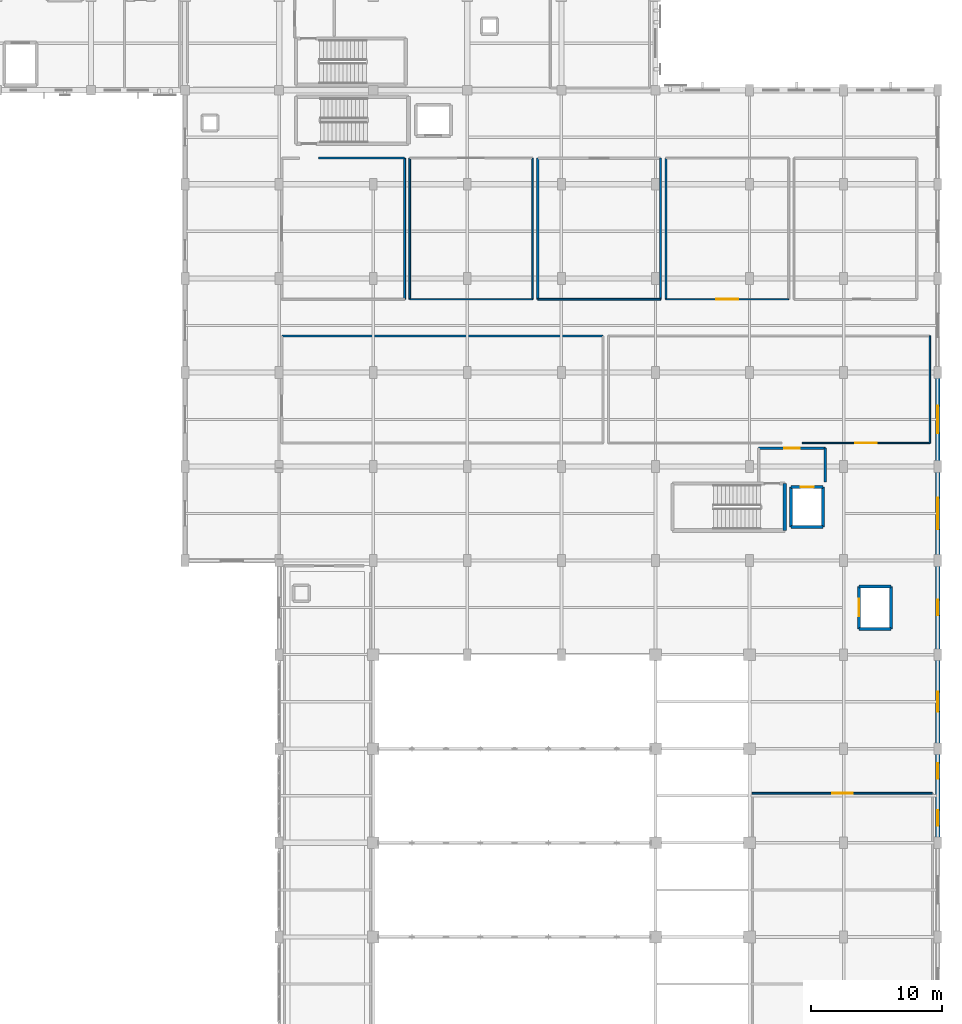
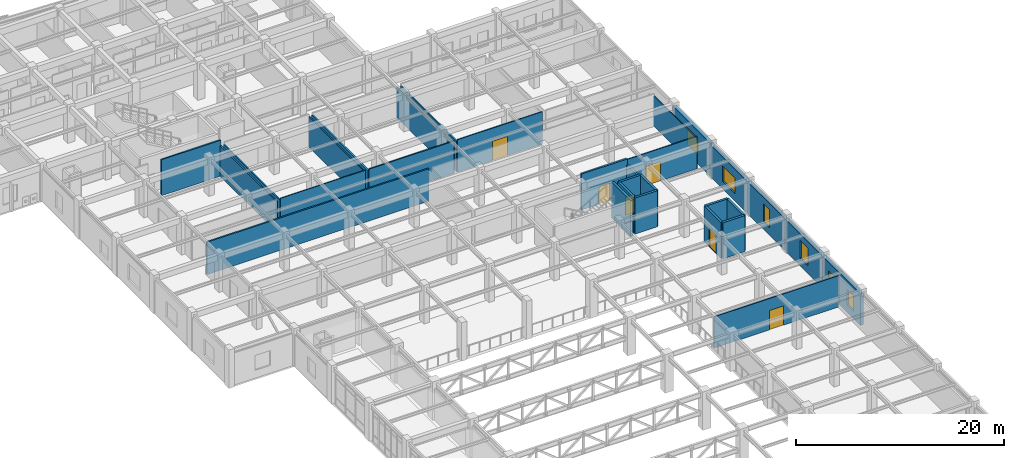
# One storey, part 86 of 106: 30 walls, 6 doors, 6 windows, 12 openings.
"""IFC4 building model written with IfcOpenShell, lengths in metres."""

import ifcopenshell
import ifcopenshell.guid

model = None  # the IFC model being written
_history = None  # IfcOwnerHistory: only IFC2X3 demands one
_inside = {}  # id of a spatial element -> (the spatial element, [elements in it])
_under = {}  # id of a project, library or spatial element -> (it, [spatial elements below it])
_declared = {}  # id of a project -> (the project, [libraries it declares])
_typed = {}  # id of a type object -> (the type object, [elements of that type])
_made_of = {}  # id of a material, layer set ... -> (it, [elements and type objects made of it])


def new_model(schema):
    """Start an empty IFC model of exactly this schema.

    Asked for "IFC4X3", IfcOpenShell would pick the latest addendum, in which some entities
    have other attributes; the version numbers below select the first issue.
    IFC2X3 requires an IfcOwnerHistory on every rooted entity: one is made here for all.
    """
    global model, _history
    if schema == "IFC4X3":
        model = ifcopenshell.file(schema_version=(4, 3, 0, 0))
    else:
        model = ifcopenshell.file(schema=schema)
    _inside.clear()
    _under.clear()
    _declared.clear()
    _typed.clear()
    _made_of.clear()
    _history = None
    if model.schema == "IFC2X3":
        org = make("IfcOrganization", Name="unknown")
        user = make(
            "IfcPersonAndOrganization",
            ThePerson=make("IfcPerson", FamilyName="unknown"),
            TheOrganization=org,
        )
        app = make(
            "IfcApplication",
            ApplicationDeveloper=org,
            Version="unknown",
            ApplicationFullName="unknown",
            ApplicationIdentifier="unknown",
        )
        _history = make(
            "IfcOwnerHistory",
            OwningUser=user,
            OwningApplication=app,
            ChangeAction="ADDED",
            CreationDate=0,
        )
    return model


def make(cls, **values):
    """One entity of the class cls with the attributes given. An attribute that is None is left unset."""
    return model.create_entity(
        cls, **{name: value for name, value in values.items() if value is not None}
    )


def rooted(cls, **values):
    """An entity with a GlobalId (a new one), such as an element, a storey or a relation."""
    return make(cls, GlobalId=ifcopenshell.guid.new(), OwnerHistory=_history, **values)


def si_unit(unit_type, name, prefix=None):
    """IfcSIUnit, for example si_unit("LENGTHUNIT", "METRE", prefix="MILLI")."""
    return make("IfcSIUnit", UnitType=unit_type, Prefix=prefix, Name=name)


def assignment(units):
    """IfcUnitAssignment: the units of a project."""
    return None if units is None else make("IfcUnitAssignment", Units=units)


def point(xyz):
    """IfcCartesianPoint."""
    return None if xyz is None else make("IfcCartesianPoint", Coordinates=xyz)


def direction(xyz):
    """IfcDirection."""
    return None if xyz is None else make("IfcDirection", DirectionRatios=xyz)


def frame(location, z_axis=None, x_axis=None):
    """IfcAxis2Placement3D, a coordinate frame: its origin and axes. An axis left out is left unset."""
    return make(
        "IfcAxis2Placement3D",
        Location=point(location),
        Axis=direction(z_axis),
        RefDirection=direction(x_axis),
    )


def frame_2d(location, x_axis=None):
    """IfcAxis2Placement2D, a coordinate frame in the plane: its origin and x axis."""
    return make(
        "IfcAxis2Placement2D", Location=point(location), RefDirection=direction(x_axis)
    )


def origin():
    """The frame at (0, 0, 0) with its axes left unset."""
    return frame((0.0, 0.0, 0.0))


def place(relative_to, where):
    """IfcLocalPlacement: puts the frame where relative to a parent placement (None: the world)."""
    return make(
        "IfcLocalPlacement", PlacementRelTo=relative_to, RelativePlacement=where
    )


def context(
    kind, dimensions, precision=None, world=None, true_north=None, identifier=None
):
    """IfcGeometricRepresentationContext, for example the 3D "Model" context."""
    return make(
        "IfcGeometricRepresentationContext",
        ContextIdentifier=identifier,
        ContextType=kind,
        CoordinateSpaceDimension=dimensions,
        Precision=precision,
        WorldCoordinateSystem=world,
        TrueNorth=true_north,
    )


def subcontext(parent, identifier, kind, view, scale=None):
    """IfcGeometricRepresentationSubContext, for example "Body" below "Model"."""
    return make(
        "IfcGeometricRepresentationSubContext",
        ContextIdentifier=identifier,
        ContextType=kind,
        ParentContext=parent,
        TargetScale=scale,
        TargetView=view,
    )


def project(units=None, contexts=None):
    """IfcProject with its units and contexts."""
    return rooted(
        "IfcProject",
        Name="project",
        RepresentationContexts=contexts,
        UnitsInContext=assignment(units),
    )


def spatial(cls, under=None, at=None, **own):
    """A site, building, storey or space (cls), placed at a placement, below another one or the project."""
    s = rooted(cls, ObjectPlacement=at, **own)
    if under is not None:
        _under.setdefault(under.id(), (under, []))[1].append(s)
    return s


def profile(cls, at=None, kind="AREA", **sizes):
    """A parametric profile (cls). Its sizes go by their IFC names, for example OverallWidth=200.0."""
    return make(cls, ProfileType=kind, Position=at, **sizes)


def rectangle(**sizes):
    """IfcRectangleProfileDef."""
    return profile("IfcRectangleProfileDef", **sizes)


def extrude(swept, where, along, depth):
    """IfcExtrudedAreaSolid: the profile swept, set in the frame where, extruded along a direction by depth."""
    return make(
        "IfcExtrudedAreaSolid",
        SweptArea=swept,
        Position=where,
        ExtrudedDirection=direction(along),
        Depth=depth,
    )


def shape(context_of_items, identifier, shape_type, items):
    """IfcShapeRepresentation: the items that make up one representation, for example the "Body"."""
    return make(
        "IfcShapeRepresentation",
        ContextOfItems=context_of_items,
        RepresentationIdentifier=identifier,
        RepresentationType=shape_type,
        Items=items,
    )


def material(Name=None, Category=None):
    """IfcMaterial."""
    return make("IfcMaterial", Name=Name, Category=Category)


def layer(
    of_material, thickness, ventilated=None, Name=None, Category=None, Priority=None
):
    """IfcMaterialLayer: one layer of a wall or slab, of a material (None: an air gap)."""
    return make(
        "IfcMaterialLayer",
        Material=of_material,
        LayerThickness=thickness,
        IsVentilated=ventilated,
        Name=Name,
        Category=Category,
        Priority=Priority,
    )


def layer_set(layers, Name=None):
    """IfcMaterialLayerSet."""
    return make("IfcMaterialLayerSet", MaterialLayers=layers, LayerSetName=Name)


def made_of(thing, what):
    """Note that an element or type object is made of a material, layer set ...; save() writes the relation."""
    if what is not None:
        _made_of.setdefault(what.id(), (what, []))[1].append(thing)
    return thing


def type_object(cls, material=None, **own):
    """A type object (cls), such as IfcWallType, which elements share."""
    return made_of(rooted(cls, **own), material)


def element(
    cls,
    number,
    at=None,
    inside=None,
    cuts=None,
    type_object=None,
    material=None,
    context=None,
    identifier="Body",
    shape_type=None,
    held_by="IfcProductDefinitionShape",
    body=None,
    shapes=None,
    **own,
):
    """One element of the class cls, such as IfcWall. Its Tag is "e" and its number.

    at: its placement. inside: the storey or other place that contains it. cuts: it is an
    opening in that element (IfcRelVoidsElement). A single representation is given by context,
    identifier, shape_type and body (its items); several are given by shapes. held_by: the class
    of the entity that holds the representations. save() writes the other relations.
    """
    e = rooted(cls, Tag="e%d" % number, ObjectPlacement=at, **own)
    if body is not None:
        shapes = [shape(context, identifier, shape_type, body)]
    if shapes is not None:
        e.Representation = make(held_by, Representations=shapes)
    if inside is not None:
        _inside.setdefault(inside.id(), (inside, []))[1].append(e)
    if cuts is not None:
        rooted(
            "IfcRelVoidsElement", RelatingBuildingElement=cuts, RelatedOpeningElement=e
        )
    if type_object is not None:
        _typed.setdefault(type_object.id(), (type_object, []))[1].append(e)
    return made_of(e, material)


def fill(opening, filler):
    """IfcRelFillsElement: the door or window that sits in an opening."""
    return rooted(
        "IfcRelFillsElement",
        RelatingOpeningElement=opening,
        RelatedBuildingElement=filler,
    )


def aggregate(whole, parts):
    """IfcRelAggregates: a whole, such as a stair, and the parts it consists of."""
    return rooted("IfcRelAggregates", RelatingObject=whole, RelatedObjects=parts)


def save(model, path):
    """Write the relations noted so far, then the file.

    IfcRelAggregates (storeys below a building ...), IfcRelContainedInSpatialStructure (elements
    in a storey), IfcRelDefinesByType, IfcRelAssociatesMaterial and IfcRelDeclares: one each for
    every whole, place, type object, material and project.
    """
    for whole, parts in _under.values():
        aggregate(whole, parts)
    for where, things in _inside.values():
        rooted(
            "IfcRelContainedInSpatialStructure",
            RelatedElements=things,
            RelatingStructure=where,
        )
    for kind, things in _typed.values():
        rooted("IfcRelDefinesByType", RelatedObjects=things, RelatingType=kind)
    for what, things in _made_of.values():
        rooted("IfcRelAssociatesMaterial", RelatedObjects=things, RelatingMaterial=what)
    for by, libraries in _declared.values():
        rooted("IfcRelDeclares", RelatingContext=by, RelatedDefinitions=libraries)
    model.write(path)


model = new_model("IFC4")

# Units and contexts
model_context = context("Model", 3, precision=1e-05, world=origin(), true_north=direction((0.0, 1.0)))
body_context = subcontext(model_context, "Body", "Model", "MODEL_VIEW")
ifc_project = project(units=[si_unit("LENGTHUNIT", "METRE"), si_unit("AREAUNIT", "SQUARE_METRE"), si_unit("VOLUMEUNIT", "CUBIC_METRE"), si_unit("PLANEANGLEUNIT", "RADIAN"), si_unit("MASSUNIT", "GRAM", prefix="KILO")], contexts=[model_context])

# Site, building, storey
site_placement = place(None, origin())
site = spatial("IfcSite", under=ifc_project, at=site_placement, CompositionType="ELEMENT")
building_placement = place(site_placement, origin())
building = spatial("IfcBuilding", under=site, at=building_placement, Name="Carrowvane Square Congress Hotel", CompositionType="ELEMENT")
storey_placement = place(building_placement, frame((0.0, 0.0, 10.5)))
storey = spatial("IfcBuildingStorey", under=building, at=storey_placement, Name="L02", CompositionType="ELEMENT", Elevation=10.5)

# Wall, opening, window
ifc_material_1 = material(Name="Portland limestone cladding", Category="masonry")
ifc_layer_1 = layer(ifc_material_1, 0.35009765625)
ifc_layer_set_1 = layer_set([ifc_layer_1], Name="Portland limestone cladding")
wall_type_1 = type_object("IfcWallType", Name="WL-EXT-LS350", PredefinedType="STANDARD", material=ifc_layer_set_1)
wall_1_placement = place(storey_placement, frame((184.39990234375, 55.800048828125, 0.0), z_axis=(0.0, 0.0, 1.0), x_axis=(0.0, -1.0, 0.0)))
wall_1 = element("IfcWall", 1, at=wall_1_placement, inside=storey, type_object=wall_type_1, Name="L02 exterior facade wall 293", PredefinedType="STANDARD", context=body_context, shape_type="SweptSolid", body=[
    extrude(rectangle(XDim=7.199951171875, YDim=0.35009765625, at=frame_2d((3.60009765625, 0.0))), origin(), (0.0, 0.0, 1.0), 3.7451171875),
])
opening_1_placement = place(wall_1_placement, frame((3.0, 0.0, 0.89990234375)))
opening_1 = element("IfcOpeningElement", 2, at=opening_1_placement, cuts=wall_1, Name="Opening W-08", PredefinedType="OPENING", context=body_context, shape_type="SweptSolid", body=[
    extrude(rectangle(XDim=1.199951171875, YDim=2.10009765625, at=frame_2d((0.60009765625, 1.050048828125))), frame((0.0, 0.18505859375, 0.0), z_axis=(0.0, -1.0, 0.0), x_axis=(1.0, 0.0, 0.0)), (0.0, 0.0, 1.0), 0.3701171875),
])
ifc_material_2 = material(Name="Double-glazed low-E glass", Category="glass")
window_type_1 = type_object("IfcWindowType", Name="WIN-08", PartitioningType="SINGLE_PANEL", PredefinedType="WINDOW", material=ifc_material_2)
window_1_placement = place(opening_1_placement, origin())
window_1 = element("IfcWindow", 3, at=window_1_placement, inside=storey, type_object=window_type_1, Name="L02 facade window 110", OverallHeight=2.10009765625, OverallWidth=1.199951171875, PartitioningType="SINGLE_PANEL", PredefinedType="WINDOW", context=body_context, shape_type="SweptSolid", body=[
    extrude(rectangle(XDim=1.199951171875, YDim=2.10009765625, at=frame_2d((0.60009765625, 1.050048828125))), frame((0.0, 0.030029296875, 0.0), z_axis=(0.0, -1.0, 0.0), x_axis=(1.0, 0.0, 0.0)), (0.0, 0.0, 1.0), 0.06005859375),
])
fill(opening_1, window_1)

wall_2_placement = place(storey_placement, frame((184.39990234375, 48.60009765625, 0.0), z_axis=(0.0, 0.0, 1.0), x_axis=(0.0, -1.0, 0.0)))
wall_2 = element("IfcWall", 4, at=wall_2_placement, inside=storey, type_object=wall_type_1, Name="L02 exterior facade wall 294", PredefinedType="STANDARD", context=body_context, shape_type="SweptSolid", body=[
    extrude(rectangle(XDim=7.2001953125, YDim=0.35009765625, at=frame_2d((3.60009765625, 0.0))), origin(), (0.0, 0.0, 1.0), 3.7451171875),
])
opening_2_placement = place(wall_2_placement, frame((2.85009765625, 0.0, 0.89990234375)))
opening_2 = element("IfcOpeningElement", 5, at=opening_2_placement, cuts=wall_2, Name="Opening W-09", PredefinedType="OPENING", context=body_context, shape_type="SweptSolid", body=[
    extrude(rectangle(XDim=1.5, YDim=2.10009765625, at=frame_2d((0.75, 1.050048828125))), frame((0.0, 0.18505859375, 0.0), z_axis=(0.0, -1.0, 0.0), x_axis=(1.0, 0.0, 0.0)), (0.0, 0.0, 1.0), 0.3701171875),
])
ifc_material_3 = material(Name="Double-glazed low-E glass", Category="glass")
window_type_2 = type_object("IfcWindowType", Name="WIN-09", PartitioningType="SINGLE_PANEL", PredefinedType="WINDOW", material=ifc_material_3)
window_2_placement = place(opening_2_placement, origin())
window_2 = element("IfcWindow", 6, at=window_2_placement, inside=storey, type_object=window_type_2, Name="L02 facade window 111", OverallHeight=2.10009765625, OverallWidth=1.5, PartitioningType="SINGLE_PANEL", PredefinedType="WINDOW", context=body_context, shape_type="SweptSolid", body=[
    extrude(rectangle(XDim=1.5, YDim=2.10009765625, at=frame_2d((0.75, 1.050048828125))), frame((0.0, 0.030029296875, 0.0), z_axis=(0.0, -1.0, 0.0), x_axis=(1.0, 0.0, 0.0)), (0.0, 0.0, 1.0), 0.06005859375),
])
fill(opening_2, window_2)

# Wall, openings, windows
wall_3_placement = place(storey_placement, frame((184.39990234375, 41.39990234375, 0.0), z_axis=(0.0, 0.0, 1.0), x_axis=(0.0, -1.0, 0.0)))
wall_3 = element("IfcWall", 7, at=wall_3_placement, inside=storey, type_object=wall_type_1, Name="L02 exterior facade wall 295", PredefinedType="STANDARD", context=body_context, shape_type="SweptSolid", body=[
    extrude(rectangle(XDim=7.199951171875, YDim=0.35009765625, at=frame_2d((3.60009765625, 0.0))), origin(), (0.0, 0.0, 1.0), 3.7451171875),
])
opening_3_placement = place(wall_3_placement, frame((1.10009765625, 0.0, 0.89990234375)))
opening_3 = element("IfcOpeningElement", 8, at=opening_3_placement, cuts=wall_3, Name="Opening W-01", PredefinedType="OPENING", context=body_context, shape_type="SweptSolid", body=[
    extrude(rectangle(XDim=1.199951171875, YDim=1.800048828125, at=frame_2d((0.60009765625, 0.89990234375))), frame((0.0, 0.18505859375, 0.0), z_axis=(0.0, -1.0, 0.0), x_axis=(1.0, 0.0, 0.0)), (0.0, 0.0, 1.0), 0.3701171875),
])
opening_4_placement = place(wall_3_placement, frame((4.699951171875, 0.0, 0.89990234375)))
opening_4 = element("IfcOpeningElement", 9, at=opening_4_placement, cuts=wall_3, Name="Opening W-01", PredefinedType="OPENING", context=body_context, shape_type="SweptSolid", body=[
    extrude(rectangle(XDim=1.199951171875, YDim=1.800048828125, at=frame_2d((0.60009765625, 0.89990234375))), frame((0.0, 0.18505859375, 0.0), z_axis=(0.0, -1.0, 0.0), x_axis=(1.0, 0.0, 0.0)), (0.0, 0.0, 1.0), 0.3701171875),
])
ifc_material_4 = material(Name="Double-glazed low-E glass", Category="glass")
window_type_3 = type_object("IfcWindowType", Name="WIN-01", PartitioningType="SINGLE_PANEL", PredefinedType="WINDOW", material=ifc_material_4)
window_3_placement = place(opening_3_placement, origin())
window_3 = element("IfcWindow", 10, at=window_3_placement, inside=storey, type_object=window_type_3, Name="L02 facade window 112", OverallHeight=1.800048828125, OverallWidth=1.199951171875, PartitioningType="SINGLE_PANEL", PredefinedType="WINDOW", context=body_context, shape_type="SweptSolid", body=[
    extrude(rectangle(XDim=1.199951171875, YDim=1.800048828125, at=frame_2d((0.60009765625, 0.89990234375))), frame((0.0, 0.030029296875, 0.0), z_axis=(0.0, -1.0, 0.0), x_axis=(1.0, 0.0, 0.0)), (0.0, 0.0, 1.0), 0.06005859375),
])
fill(opening_3, window_3)
window_4_placement = place(opening_4_placement, origin())
window_4 = element("IfcWindow", 11, at=window_4_placement, inside=storey, type_object=window_type_3, Name="L02 split-bay facade window WIN-L02-0112-1", OverallHeight=1.800048828125, OverallWidth=1.199951171875, PartitioningType="SINGLE_PANEL", PredefinedType="WINDOW", context=body_context, shape_type="SweptSolid", body=[
    extrude(rectangle(XDim=1.199951171875, YDim=1.800048828125, at=frame_2d((0.60009765625, 0.89990234375))), frame((0.0, 0.030029296875, 0.0), z_axis=(0.0, -1.0, 0.0), x_axis=(1.0, 0.0, 0.0)), (0.0, 0.0, 1.0), 0.06005859375),
])
fill(opening_4, window_4)

# Wall, opening, window
ifc_material_5 = material(Name="Glazed terracotta rainscreen", Category="masonry")
ifc_layer_2 = layer(ifc_material_5, 0.360107421875)
ifc_layer_set_2 = layer_set([ifc_layer_2], Name="Glazed terracotta rainscreen")
wall_type_2 = type_object("IfcWallType", Name="WL-EXT-TC360", PredefinedType="STANDARD", material=ifc_layer_set_2)
wall_4_placement = place(storey_placement, frame((184.39990234375, 70.199951171875, 0.0), z_axis=(0.0, 0.0, 1.0), x_axis=(0.0, -1.0, 0.0)))
wall_4 = element("IfcWall", 12, at=wall_4_placement, inside=storey, type_object=wall_type_2, Name="L02 exterior facade wall 291", PredefinedType="STANDARD", context=body_context, shape_type="SweptSolid", body=[
    extrude(rectangle(XDim=7.199951171875, YDim=0.360107421875, at=frame_2d((3.60009765625, 0.0))), origin(), (0.0, 0.0, 1.0), 3.8984375),
])
opening_5_placement = place(wall_4_placement, frame((2.550048828125, 0.0, 0.89990234375)))
opening_5 = element("IfcOpeningElement", 13, at=opening_5_placement, cuts=wall_4, Name="Opening W-06", PredefinedType="OPENING", context=body_context, shape_type="SweptSolid", body=[
    extrude(rectangle(XDim=2.10009765625, YDim=1.800048828125, at=frame_2d((1.050048828125, 0.89990234375))), frame((0.0, 0.18994140625, 0.0), z_axis=(0.0, -1.0, 0.0), x_axis=(1.0, 0.0, 0.0)), (0.0, 0.0, 1.0), 0.380126953125),
])
ifc_material_6 = material(Name="Double-glazed low-E glass", Category="glass")
window_type_4 = type_object("IfcWindowType", Name="WIN-06", PartitioningType="SINGLE_PANEL", PredefinedType="WINDOW", material=ifc_material_6)
window_5_placement = place(opening_5_placement, origin())
window_5 = element("IfcWindow", 14, at=window_5_placement, inside=storey, type_object=window_type_4, Name="L02 facade window 108", OverallHeight=1.800048828125, OverallWidth=2.10009765625, PartitioningType="SINGLE_PANEL", PredefinedType="WINDOW", context=body_context, shape_type="SweptSolid", body=[
    extrude(rectangle(XDim=2.10009765625, YDim=1.800048828125, at=frame_2d((1.050048828125, 0.89990234375))), frame((0.0, 0.030029296875, 0.0), z_axis=(0.0, -1.0, 0.0), x_axis=(1.0, 0.0, 0.0)), (0.0, 0.0, 1.0), 0.06005859375),
])
fill(opening_5, window_5)

wall_5_placement = place(storey_placement, frame((184.39990234375, 63.0, 0.0), z_axis=(0.0, 0.0, 1.0), x_axis=(0.0, -1.0, 0.0)))
wall_5 = element("IfcWall", 15, at=wall_5_placement, inside=storey, type_object=wall_type_2, Name="L02 exterior facade wall 292", PredefinedType="STANDARD", context=body_context, shape_type="SweptSolid", body=[
    extrude(rectangle(XDim=7.199951171875, YDim=0.360107421875, at=frame_2d((3.60009765625, 0.0))), origin(), (0.0, 0.0, 1.0), 3.7451171875),
])
opening_6_placement = place(wall_5_placement, frame((2.39990234375, 0.0, 0.89990234375)))
opening_6 = element("IfcOpeningElement", 16, at=opening_6_placement, cuts=wall_5, Name="Opening W-07", PredefinedType="OPENING", context=body_context, shape_type="SweptSolid", body=[
    extrude(rectangle(XDim=2.39990234375, YDim=1.800048828125, at=frame_2d((1.199951171875, 0.89990234375))), frame((0.0, 0.18994140625, 0.0), z_axis=(0.0, -1.0, 0.0), x_axis=(1.0, 0.0, 0.0)), (0.0, 0.0, 1.0), 0.380126953125),
])
ifc_material_7 = material(Name="Double-glazed low-E glass", Category="glass")
window_type_5 = type_object("IfcWindowType", Name="WIN-07", PartitioningType="SINGLE_PANEL", PredefinedType="WINDOW", material=ifc_material_7)
window_6_placement = place(opening_6_placement, origin())
window_6 = element("IfcWindow", 17, at=window_6_placement, inside=storey, type_object=window_type_5, Name="L02 facade window 109", OverallHeight=1.800048828125, OverallWidth=2.39990234375, PartitioningType="SINGLE_PANEL", PredefinedType="WINDOW", context=body_context, shape_type="SweptSolid", body=[
    extrude(rectangle(XDim=2.39990234375, YDim=1.800048828125, at=frame_2d((1.199951171875, 0.89990234375))), frame((0.0, 0.030029296875, 0.0), z_axis=(0.0, -1.0, 0.0), x_axis=(1.0, 0.0, 0.0)), (0.0, 0.0, 1.0), 0.06005859375),
])
fill(opening_6, window_6)

# Walls
ifc_material_8 = material(Name="Acoustic gypsum board", Category="gypsum")
ifc_layer_3 = layer(ifc_material_8, 0.155029296875)
ifc_layer_set_3 = layer_set([ifc_layer_3], Name="Acoustic gypsum board")
wall_type_3 = type_object("IfcWallType", Name="WL-FIR-155", PredefinedType="PARTITIONING", material=ifc_layer_set_3)
wall_6_placement = place(storey_placement, frame((137.0048828125, 86.60009765625, 0.0), z_axis=(0.0, 0.0, 1.0), x_axis=(1.0, 0.0, 0.0)))
element("IfcWall", 18, at=wall_6_placement, inside=storey, type_object=wall_type_3, Name="L02 Congress Seminar Room 201 partition", PredefinedType="PARTITIONING", context=body_context, shape_type="SweptSolid", body=[
    extrude(rectangle(XDim=6.59521484375, YDim=0.155029296875, at=frame_2d((3.297607421875, 0.0))), origin(), (0.0, 0.0, 1.0), 4.219970703125),
])
wall_7_placement = place(storey_placement, frame((163.199951171875, 86.60009765625, 0.0), z_axis=(0.0, 0.0, 1.0), x_axis=(0.0, -1.0, 0.0)))
element("IfcWall", 19, at=wall_7_placement, inside=storey, type_object=wall_type_3, Name="L02 Congress Seminar Room 203 partition", PredefinedType="PARTITIONING", context=body_context, shape_type="SweptSolid", body=[
    extrude(rectangle(XDim=10.800048828125, YDim=0.155029296875, at=frame_2d((5.39990234375, 0.0))), origin(), (0.0, 0.0, 1.0), 3.554931640625),
])
ifc_material_9 = material(Name="Acoustic gypsum board", Category="gypsum")
ifc_layer_4 = layer(ifc_material_9, 0.169921875)
ifc_layer_set_4 = layer_set([ifc_layer_4], Name="Acoustic gypsum board")
wall_type_4 = type_object("IfcWallType", Name="WL-FIR-170", PredefinedType="PARTITIONING", material=ifc_layer_set_4)
wall_8_placement = place(storey_placement, frame((134.199951171875, 73.0, 0.0), z_axis=(0.0, 0.0, 1.0), x_axis=(1.0, 0.0, 0.0)))
element("IfcWall", 20, at=wall_8_placement, inside=storey, type_object=wall_type_4, Name="L02 Sub-Plenary Lecture Hall A partition", PredefinedType="PARTITIONING", context=body_context, shape_type="SweptSolid", body=[
    extrude(rectangle(XDim=24.60009765625, YDim=0.169921875, at=frame_2d((12.300048828125, 0.0))), origin(), (0.0, 0.0, 1.0), 3.795654296875),
])
ifc_material_10 = material(Name="Acoustic gypsum board", Category="gypsum")
ifc_layer_5 = layer(ifc_material_10, 0.18505859375)
ifc_layer_set_5 = layer_set([ifc_layer_5], Name="Acoustic gypsum board")
wall_type_5 = type_object("IfcWallType", Name="WL-FIR-185", PredefinedType="PARTITIONING", material=ifc_layer_set_5)
wall_9_placement = place(storey_placement, frame((153.800048828125, 75.800048828125, 0.0), z_axis=(0.0, 0.0, 1.0), x_axis=(0.0, 1.0, 0.0)))
element("IfcWall", 21, at=wall_9_placement, inside=storey, type_object=wall_type_5, Name="L02 Congress Seminar Room 203 partition", PredefinedType="PARTITIONING", context=body_context, shape_type="SweptSolid", body=[
    extrude(rectangle(XDim=10.800048828125, YDim=0.18505859375, at=frame_2d((5.39990234375, 0.0))), origin(), (0.0, 0.0, 1.0), 3.554931640625),
])
ifc_material_11 = material(Name="Acoustic gypsum board", Category="gypsum")
ifc_layer_6 = layer(ifc_material_11, 0.205078125)
ifc_layer_set_6 = layer_set([ifc_layer_6], Name="Acoustic gypsum board")
wall_type_6 = type_object("IfcWallType", Name="WL-FIR-205", PredefinedType="PARTITIONING", material=ifc_layer_set_6)
wall_10_placement = place(storey_placement, frame((175.800048828125, 61.800048828125, 0.0), z_axis=(0.0, 0.0, 1.0), x_axis=(0.0, 1.0, 0.0)))
element("IfcWall", 22, at=wall_10_placement, inside=storey, type_object=wall_type_6, Name="L02 Firefighting Lobby C4 wall east", PredefinedType="PARTITIONING", context=body_context, shape_type="SweptSolid", body=[
    extrude(rectangle(XDim=2.599853515625, YDim=0.205078125, at=frame_2d((1.2998046875, 0.0))), origin(), (0.0, 0.0, 1.0), 3.554931640625),
])

# Wall, opening, door
wall_11_placement = place(storey_placement, frame((175.800048828125, 64.39990234375, 0.0), z_axis=(0.0, 0.0, 1.0), x_axis=(-1.0, 0.0, 0.0)))
wall_11 = element("IfcWall", 23, at=wall_11_placement, inside=storey, type_object=wall_type_6, Name="L02 Firefighting Lobby C4 wall north", PredefinedType="PARTITIONING", context=body_context, shape_type="SweptSolid", body=[
    extrude(rectangle(XDim=5.10009765625, YDim=0.205078125, at=frame_2d((2.550048828125, 0.0))), origin(), (0.0, 0.0, 1.0), 4.219970703125),
])
opening_7_placement = place(wall_11_placement, frame((1.949951171875, 0.0, 0.0)))
opening_7 = element("IfcOpeningElement", 24, at=opening_7_placement, cuts=wall_11, Name="Opening FD-02", PredefinedType="OPENING", context=body_context, shape_type="SweptSolid", body=[
    extrude(rectangle(XDim=1.199951171875, YDim=2.10009765625, at=frame_2d((0.60009765625, 1.050048828125))), frame((0.0, 0.112548828125, 0.0), z_axis=(0.0, -1.0, 0.0), x_axis=(1.0, 0.0, 0.0)), (0.0, 0.0, 1.0), 0.22509765625),
])
ifc_material_12 = material(Name="European oak timber", Category="wood")
door_type_1 = type_object("IfcDoorType", Name="DR-FD60-1200x2100", OperationType="NOTDEFINED", PredefinedType="DOOR", material=ifc_material_12)
door_1_placement = place(opening_7_placement, origin())
door_1 = element("IfcDoor", 25, at=door_1_placement, inside=storey, type_object=door_type_1, Name="L02 Firefighting Lobby C4 entrance door", OperationType="SINGLE_SWING_LEFT", OverallHeight=2.10009765625, OverallWidth=1.199951171875, PredefinedType="DOOR", context=body_context, shape_type="SweptSolid", body=[
    extrude(rectangle(XDim=1.199951171875, YDim=2.10009765625, at=frame_2d((0.60009765625, 1.050048828125))), frame((0.0, 0.02490234375, 0.0), z_axis=(0.0, -1.0, 0.0), x_axis=(1.0, 0.0, 0.0)), (0.0, 0.0, 1.0), 0.050048828125),
])
fill(opening_7, door_1)

# Wall
ifc_material_13 = material(Name="Acoustic gypsum board", Category="gypsum")
ifc_layer_7 = layer(ifc_material_13, 0.097900390625)
ifc_layer_set_7 = layer_set([ifc_layer_7], Name="Acoustic gypsum board")
wall_type_7 = type_object("IfcWallType", Name="WL-PRT-098", PredefinedType="PARTITIONING", material=ifc_layer_set_7)
wall_12_placement = place(storey_placement, frame((153.39990234375, 75.800048828125, 0.0), z_axis=(0.0, 0.0, 1.0), x_axis=(-1.0, 0.0, 0.0)))
element("IfcWall", 26, at=wall_12_placement, inside=storey, type_object=wall_type_7, Name="L02 Congress Seminar Room 202 partition", PredefinedType="PARTITIONING", context=body_context, shape_type="SweptSolid", body=[
    extrude(rectangle(XDim=9.39990234375, YDim=0.097900390625, at=frame_2d((4.699951171875, 0.0))), origin(), (0.0, 0.0, 1.0), 3.795654296875),
])

# Wall, opening, door
ifc_material_14 = material(Name="Acoustic gypsum board", Category="gypsum")
ifc_layer_8 = layer(ifc_material_14, 0.10791015625)
ifc_layer_set_8 = layer_set([ifc_layer_8], Name="Acoustic gypsum board")
wall_type_8 = type_object("IfcWallType", Name="WL-PRT-108", PredefinedType="PARTITIONING", material=ifc_layer_set_8)
wall_13_placement = place(storey_placement, frame((183.800048828125, 64.800048828125, 0.0), z_axis=(0.0, 0.0, 1.0), x_axis=(-1.0, 0.0, 0.0)))
wall_13 = element("IfcWall", 27, at=wall_13_placement, inside=storey, type_object=wall_type_8, Name="L02 Sub-Plenary Lecture Hall B partition", PredefinedType="PARTITIONING", context=body_context, shape_type="SweptSolid", body=[
    extrude(rectangle(XDim=9.77001953125, YDim=0.10791015625, at=frame_2d((4.885009765625, 0.0))), origin(), (0.0, 0.0, 1.0), 3.795654296875),
])
opening_8_placement = place(wall_13_placement, frame((4.06005859375, 0.0, 0.0)))
opening_8 = element("IfcOpeningElement", 28, at=opening_8_placement, cuts=wall_13, Name="Opening ID-12", PredefinedType="OPENING", context=body_context, shape_type="SweptSolid", body=[
    extrude(rectangle(XDim=1.64990234375, YDim=2.25, at=frame_2d((0.824951171875, 1.125))), frame((0.0, 0.06396484375, 0.0), z_axis=(0.0, -1.0, 0.0), x_axis=(1.0, 0.0, 0.0)), (0.0, 0.0, 1.0), 0.1279296875),
])
ifc_material_15 = material(Name="European oak timber", Category="wood")
door_type_2 = type_object("IfcDoorType", Name="DR-INT-1650x2250", OperationType="DOUBLE_DOOR_SINGLE_SWING", PredefinedType="DOOR", material=ifc_material_15)
door_2_placement = place(opening_8_placement, origin())
door_2 = element("IfcDoor", 29, at=door_2_placement, inside=storey, type_object=door_type_2, Name="L02 Sub-Plenary Lecture Hall B entrance door", OperationType="DOUBLE_DOOR_SINGLE_SWING", OverallHeight=2.25, OverallWidth=1.64990234375, PredefinedType="DOOR", context=body_context, shape_type="SweptSolid", body=[
    extrude(rectangle(XDim=1.64990234375, YDim=2.25, at=frame_2d((0.824951171875, 1.125))), frame((0.0, 0.02490234375, 0.0), z_axis=(0.0, -1.0, 0.0), x_axis=(1.0, 0.0, 0.0)), (0.0, 0.0, 1.0), 0.050048828125),
])
fill(opening_8, door_2)

# Wall
wall_14_placement = place(storey_placement, frame((153.39990234375, 86.60009765625, 0.0), z_axis=(0.0, 0.0, 1.0), x_axis=(0.0, -1.0, 0.0)))
element("IfcWall", 30, at=wall_14_placement, inside=storey, type_object=wall_type_8, Name="L02 Congress Seminar Room 202 partition", PredefinedType="PARTITIONING", context=body_context, shape_type="SweptSolid", body=[
    extrude(rectangle(XDim=10.800048828125, YDim=0.10791015625, at=frame_2d((5.39990234375, 0.0))), origin(), (0.0, 0.0, 1.0), 3.554931640625),
])

# Wall, opening, door
wall_15_placement = place(storey_placement, frame((173.0, 75.800048828125, 0.0), z_axis=(0.0, 0.0, 1.0), x_axis=(-1.0, 0.0, 0.0)))
wall_15 = element("IfcWall", 31, at=wall_15_placement, inside=storey, type_object=wall_type_8, Name="L02 Congress Seminar Room 204 partition", PredefinedType="PARTITIONING", context=body_context, shape_type="SweptSolid", body=[
    extrude(rectangle(XDim=9.39990234375, YDim=0.10791015625, at=frame_2d((4.699951171875, 0.0))), origin(), (0.0, 0.0, 1.0), 3.795654296875),
])
opening_9_placement = place(wall_15_placement, frame((3.85009765625, 0.0, 0.0)))
opening_9 = element("IfcOpeningElement", 32, at=opening_9_placement, cuts=wall_15, Name="Opening FD-12", PredefinedType="OPENING", context=body_context, shape_type="SweptSolid", body=[
    extrude(rectangle(XDim=1.699951171875, YDim=2.25, at=frame_2d((0.85009765625, 1.125))), frame((0.0, 0.06396484375, 0.0), z_axis=(0.0, -1.0, 0.0), x_axis=(1.0, 0.0, 0.0)), (0.0, 0.0, 1.0), 0.1279296875),
])
ifc_material_16 = material(Name="European oak timber", Category="wood")
door_type_3 = type_object("IfcDoorType", Name="DR-FD30-1700x2250", OperationType="DOUBLE_DOOR_SINGLE_SWING", PredefinedType="DOOR", material=ifc_material_16)
door_3_placement = place(opening_9_placement, origin())
door_3 = element("IfcDoor", 33, at=door_3_placement, inside=storey, type_object=door_type_3, Name="L02 Congress Seminar Room 204 entrance door", OperationType="DOUBLE_DOOR_SINGLE_SWING", OverallHeight=2.25, OverallWidth=1.699951171875, PredefinedType="DOOR", context=body_context, shape_type="SweptSolid", body=[
    extrude(rectangle(XDim=1.699951171875, YDim=2.25, at=frame_2d((0.85009765625, 1.125))), frame((0.0, 0.02490234375, 0.0), z_axis=(0.0, -1.0, 0.0), x_axis=(1.0, 0.0, 0.0)), (0.0, 0.0, 1.0), 0.050048828125),
])
fill(opening_9, door_3)

# Walls
ifc_material_17 = material(Name="Acoustic gypsum board", Category="gypsum")
ifc_layer_9 = layer(ifc_material_17, 0.117919921875)
ifc_layer_set_9 = layer_set([ifc_layer_9], Name="Acoustic gypsum board")
wall_type_9 = type_object("IfcWallType", Name="WL-PRT-118", PredefinedType="PARTITIONING", material=ifc_layer_set_9)
wall_16_placement = place(storey_placement, frame((183.800048828125, 73.0, 0.0), z_axis=(0.0, 0.0, 1.0), x_axis=(0.0, -1.0, 0.0)))
element("IfcWall", 34, at=wall_16_placement, inside=storey, type_object=wall_type_9, Name="L02 Sub-Plenary Lecture Hall B partition", PredefinedType="PARTITIONING", context=body_context, shape_type="SweptSolid", body=[
    extrude(rectangle(XDim=8.199951171875, YDim=0.117919921875, at=frame_2d((4.10009765625, 0.0))), origin(), (0.0, 0.0, 1.0), 3.554931640625),
])
ifc_material_18 = material(Name="Acoustic gypsum board", Category="gypsum")
ifc_layer_10 = layer(ifc_material_18, 0.1279296875)
ifc_layer_set_10 = layer_set([ifc_layer_10], Name="Acoustic gypsum board")
wall_type_10 = type_object("IfcWallType", Name="WL-PRT-128", PredefinedType="PARTITIONING", material=ifc_layer_set_10)
wall_17_placement = place(storey_placement, frame((144.0, 75.800048828125, 0.0), z_axis=(0.0, 0.0, 1.0), x_axis=(0.0, 1.0, 0.0)))
element("IfcWall", 35, at=wall_17_placement, inside=storey, type_object=wall_type_10, Name="L02 Congress Seminar Room 202 partition", PredefinedType="PARTITIONING", context=body_context, shape_type="SweptSolid", body=[
    extrude(rectangle(XDim=10.800048828125, YDim=0.1279296875, at=frame_2d((5.39990234375, 0.0))), origin(), (0.0, 0.0, 1.0), 3.554931640625),
])

# Wall, opening, door
ifc_material_19 = material(Name="Acoustic gypsum board", Category="gypsum")
ifc_layer_11 = layer(ifc_material_19, 0.137939453125)
ifc_layer_set_11 = layer_set([ifc_layer_11], Name="Acoustic gypsum board")
wall_type_11 = type_object("IfcWallType", Name="WL-PRT-138", PredefinedType="PARTITIONING", material=ifc_layer_set_11)
wall_18_placement = place(storey_placement, frame((170.199951171875, 38.0, 0.0), z_axis=(0.0, 0.0, 1.0), x_axis=(1.0, 0.0, 0.0)))
wall_18 = element("IfcWall", 36, at=wall_18_placement, inside=storey, type_object=wall_type_11, Name="L02 Ballroom Dimmer and Audio Rack Room partition", PredefinedType="PARTITIONING", context=body_context, shape_type="SweptSolid", body=[
    extrude(rectangle(XDim=13.800048828125, YDim=0.137939453125, at=frame_2d((6.89990234375, 0.0))), origin(), (0.0, 0.0, 1.0), 3.668212890625),
])
opening_10_placement = place(wall_18_placement, frame((6.1201171875, 0.0, 0.0)))
opening_10 = element("IfcOpeningElement", 37, at=opening_10_placement, cuts=wall_18, Name="Opening ID-26", PredefinedType="OPENING", context=body_context, shape_type="SweptSolid", body=[
    extrude(rectangle(XDim=1.56005859375, YDim=2.260009765625, at=frame_2d((0.780029296875, 1.1298828125))), frame((0.0, 0.078857421875, 0.0), z_axis=(0.0, -1.0, 0.0), x_axis=(1.0, 0.0, 0.0)), (0.0, 0.0, 1.0), 0.157958984375),
])
ifc_material_20 = material(Name="European oak timber", Category="wood")
door_type_4 = type_object("IfcDoorType", Name="DR-INT-1560x2260", OperationType="DOUBLE_DOOR_SINGLE_SWING", PredefinedType="DOOR", material=ifc_material_20)
door_4_placement = place(opening_10_placement, origin())
door_4 = element("IfcDoor", 38, at=door_4_placement, inside=storey, type_object=door_type_4, Name="L02 Ballroom Dimmer and Audio Rack Room entrance door", OperationType="DOUBLE_DOOR_SINGLE_SWING", OverallHeight=2.260009765625, OverallWidth=1.56005859375, PredefinedType="DOOR", context=body_context, shape_type="SweptSolid", body=[
    extrude(rectangle(XDim=1.56005859375, YDim=2.260009765625, at=frame_2d((0.780029296875, 1.1298828125))), frame((0.0, 0.02490234375, 0.0), z_axis=(0.0, -1.0, 0.0), x_axis=(1.0, 0.0, 0.0)), (0.0, 0.0, 1.0), 0.050048828125),
])
fill(opening_10, door_4)

# Walls
wall_19_placement = place(storey_placement, frame((163.60009765625, 75.800048828125, 0.0), z_axis=(0.0, 0.0, 1.0), x_axis=(0.0, 1.0, 0.0)))
element("IfcWall", 39, at=wall_19_placement, inside=storey, type_object=wall_type_11, Name="L02 Congress Seminar Room 204 partition", PredefinedType="PARTITIONING", context=body_context, shape_type="SweptSolid", body=[
    extrude(rectangle(XDim=10.800048828125, YDim=0.137939453125, at=frame_2d((5.39990234375, 0.0))), origin(), (0.0, 0.0, 1.0), 3.554931640625),
])
ifc_material_21 = material(Name="Acoustic gypsum board", Category="gypsum")
ifc_layer_12 = layer(ifc_material_21, 0.14794921875)
ifc_layer_set_12 = layer_set([ifc_layer_12], Name="Acoustic gypsum board")
wall_type_12 = type_object("IfcWallType", Name="WL-PRT-148", PredefinedType="PARTITIONING", material=ifc_layer_set_12)
wall_20_placement = place(storey_placement, frame((143.60009765625, 86.60009765625, 0.0), z_axis=(0.0, 0.0, 1.0), x_axis=(0.0, -1.0, 0.0)))
element("IfcWall", 40, at=wall_20_placement, inside=storey, type_object=wall_type_12, Name="L02 Congress Seminar Room 201 partition", PredefinedType="PARTITIONING", context=body_context, shape_type="SweptSolid", body=[
    extrude(rectangle(XDim=10.800048828125, YDim=0.14794921875, at=frame_2d((5.39990234375, 0.0))), origin(), (0.0, 0.0, 1.0), 3.554931640625),
])
wall_21_placement = place(storey_placement, frame((163.199951171875, 75.800048828125, 0.0), z_axis=(0.0, 0.0, 1.0), x_axis=(-1.0, 0.0, 0.0)))
element("IfcWall", 41, at=wall_21_placement, inside=storey, type_object=wall_type_12, Name="L02 Congress Seminar Room 203 partition", PredefinedType="PARTITIONING", context=body_context, shape_type="SweptSolid", body=[
    extrude(rectangle(XDim=9.39990234375, YDim=0.14794921875, at=frame_2d((4.699951171875, 0.0))), origin(), (0.0, 0.0, 1.0), 3.795654296875),
])
ifc_material_22 = material(Name="Concrete C40/50", Category="concrete")
ifc_layer_13 = layer(ifc_material_22, 0.25)
ifc_layer_set_13 = layer_set([ifc_layer_13], Name="Concrete C40/50")
wall_type_13 = type_object("IfcWallType", Name="WL-SHR-250", PredefinedType="SHEAR", material=ifc_layer_set_13)
wall_22_placement = place(storey_placement, frame((173.175048828125, 58.375, 0.0), z_axis=(0.0, 0.0, 1.0), x_axis=(1.0, 0.0, 0.0)))
element("IfcWall", 42, at=wall_22_placement, inside=storey, type_object=wall_type_13, Name="L02 FFL-3 shaft wall south", PredefinedType="SHEAR", context=body_context, shape_type="SweptSolid", body=[
    extrude(rectangle(XDim=2.449951171875, YDim=0.25, at=frame_2d((1.22509765625, 0.0))), origin(), (0.0, 0.0, 1.0), 4.219970703125),
])
wall_23_placement = place(storey_placement, frame((175.625, 58.375, 0.0), z_axis=(0.0, 0.0, 1.0), x_axis=(0.0, 1.0, 0.0)))
element("IfcWall", 43, at=wall_23_placement, inside=storey, type_object=wall_type_13, Name="L02 FFL-3 shaft wall east", PredefinedType="SHEAR", context=body_context, shape_type="SweptSolid", body=[
    extrude(rectangle(XDim=3.050048828125, YDim=0.25, at=frame_2d((1.52490234375, 0.0))), origin(), (0.0, 0.0, 1.0), 4.219970703125),
])

# Wall, opening, door
wall_24_placement = place(storey_placement, frame((175.625, 61.425048828125, 0.0), z_axis=(0.0, 0.0, 1.0), x_axis=(-1.0, 0.0, 0.0)))
wall_24 = element("IfcWall", 44, at=wall_24_placement, inside=storey, type_object=wall_type_13, Name="L02 FFL-3 shaft wall north", PredefinedType="SHEAR", context=body_context, shape_type="SweptSolid", body=[
    extrude(rectangle(XDim=2.449951171875, YDim=0.25, at=frame_2d((1.22509765625, 0.0))), origin(), (0.0, 0.0, 1.0), 4.219970703125),
])
opening_11_placement = place(wall_24_placement, frame((0.72509765625, 0.0, 0.0)))
opening_11 = element("IfcOpeningElement", 45, at=opening_11_placement, cuts=wall_24, Name="Opening LD-FFL-3", PredefinedType="OPENING", context=body_context, shape_type="SweptSolid", body=[
    extrude(rectangle(XDim=1.0, YDim=2.14990234375, at=frame_2d((0.5, 1.074951171875))), frame((0.0, 0.135009765625, 0.0), z_axis=(0.0, -1.0, 0.0), x_axis=(1.0, 0.0, 0.0)), (0.0, 0.0, 1.0), 0.27001953125),
])
ifc_material_23 = material(Name="Stainless steel 316", Category="steel")
door_type_5 = type_object("IfcDoorType", Name="DR-LD-1000x2150", OperationType="DOUBLE_DOOR_SLIDING", PredefinedType="DOOR", material=ifc_material_23)
door_5_placement = place(opening_11_placement, origin())
door_5 = element("IfcDoor", 46, at=door_5_placement, inside=storey, type_object=door_type_5, Name="L02 FFL-3 sliding lift landing door", OperationType="DOUBLE_DOOR_SLIDING", OverallHeight=2.14990234375, OverallWidth=1.0, PredefinedType="DOOR", context=body_context, shape_type="SweptSolid", body=[
    extrude(rectangle(XDim=1.0, YDim=2.14990234375, at=frame_2d((0.5, 1.074951171875))), frame((0.0, 0.02490234375, 0.0), z_axis=(0.0, -1.0, 0.0), x_axis=(1.0, 0.0, 0.0)), (0.0, 0.0, 1.0), 0.050048828125),
])
fill(opening_11, door_5)

# Walls
wall_25_placement = place(storey_placement, frame((173.175048828125, 61.425048828125, 0.0), z_axis=(0.0, 0.0, 1.0), x_axis=(0.0, -1.0, 0.0)))
element("IfcWall", 47, at=wall_25_placement, inside=storey, type_object=wall_type_13, Name="L02 FFL-3 shaft wall west", PredefinedType="SHEAR", context=body_context, shape_type="SweptSolid", body=[
    extrude(rectangle(XDim=3.050048828125, YDim=0.25, at=frame_2d((1.52490234375, 0.0))), origin(), (0.0, 0.0, 1.0), 4.219970703125),
])
wall_26_placement = place(storey_placement, frame((178.375, 50.574951171875, 0.0), z_axis=(0.0, 0.0, 1.0), x_axis=(1.0, 0.0, 0.0)))
element("IfcWall", 48, at=wall_26_placement, inside=storey, type_object=wall_type_13, Name="L02 GL-1 shaft wall south", PredefinedType="SHEAR", context=body_context, shape_type="SweptSolid", body=[
    extrude(rectangle(XDim=2.449951171875, YDim=0.25, at=frame_2d((1.22509765625, 0.0))), origin(), (0.0, 0.0, 1.0), 4.219970703125),
])
wall_27_placement = place(storey_placement, frame((180.824951171875, 50.574951171875, 0.0), z_axis=(0.0, 0.0, 1.0), x_axis=(0.0, 1.0, 0.0)))
element("IfcWall", 49, at=wall_27_placement, inside=storey, type_object=wall_type_13, Name="L02 GL-1 shaft wall east", PredefinedType="SHEAR", context=body_context, shape_type="SweptSolid", body=[
    extrude(rectangle(XDim=3.25, YDim=0.25, at=frame_2d((1.625, 0.0))), origin(), (0.0, 0.0, 1.0), 4.219970703125),
])
wall_28_placement = place(storey_placement, frame((180.824951171875, 53.824951171875, 0.0), z_axis=(0.0, 0.0, 1.0), x_axis=(-1.0, 0.0, 0.0)))
element("IfcWall", 50, at=wall_28_placement, inside=storey, type_object=wall_type_13, Name="L02 GL-1 shaft wall north", PredefinedType="SHEAR", context=body_context, shape_type="SweptSolid", body=[
    extrude(rectangle(XDim=2.449951171875, YDim=0.25, at=frame_2d((1.22509765625, 0.0))), origin(), (0.0, 0.0, 1.0), 4.219970703125),
])

# Wall, opening, door
wall_29_placement = place(storey_placement, frame((178.375, 53.824951171875, 0.0), z_axis=(0.0, 0.0, 1.0), x_axis=(0.0, -1.0, 0.0)))
wall_29 = element("IfcWall", 51, at=wall_29_placement, inside=storey, type_object=wall_type_13, Name="L02 GL-1 shaft wall west", PredefinedType="SHEAR", context=body_context, shape_type="SweptSolid", body=[
    extrude(rectangle(XDim=3.25, YDim=0.25, at=frame_2d((1.625, 0.0))), origin(), (0.0, 0.0, 1.0), 4.219970703125),
])
opening_12_placement = place(wall_29_placement, frame((0.949951171875, 0.0, 0.0)))
opening_12 = element("IfcOpeningElement", 52, at=opening_12_placement, cuts=wall_29, Name="Opening LD-GL-1", PredefinedType="OPENING", context=body_context, shape_type="SweptSolid", body=[
    extrude(rectangle(XDim=1.35009765625, YDim=2.199951171875, at=frame_2d((0.675048828125, 1.10009765625))), frame((0.0, 0.135009765625, 0.0), z_axis=(0.0, -1.0, 0.0), x_axis=(1.0, 0.0, 0.0)), (0.0, 0.0, 1.0), 0.27001953125),
])
ifc_material_24 = material(Name="Stainless steel 316", Category="steel")
door_type_6 = type_object("IfcDoorType", Name="DR-LD-1350x2200", OperationType="DOUBLE_DOOR_SLIDING", PredefinedType="DOOR", material=ifc_material_24)
door_6_placement = place(opening_12_placement, origin())
door_6 = element("IfcDoor", 53, at=door_6_placement, inside=storey, type_object=door_type_6, Name="L02 GL-1 sliding lift landing door", OperationType="DOUBLE_DOOR_SLIDING", OverallHeight=2.199951171875, OverallWidth=1.35009765625, PredefinedType="DOOR", context=body_context, shape_type="SweptSolid", body=[
    extrude(rectangle(XDim=1.35009765625, YDim=2.199951171875, at=frame_2d((0.675048828125, 1.10009765625))), frame((0.0, 0.02490234375, 0.0), z_axis=(0.0, -1.0, 0.0), x_axis=(1.0, 0.0, 0.0)), (0.0, 0.0, 1.0), 0.050048828125),
])
fill(opening_12, door_6)

# Wall
ifc_material_25 = material(Name="Concrete C40/50", Category="concrete")
ifc_layer_14 = layer(ifc_material_25, 0.27490234375)
ifc_layer_set_14 = layer_set([ifc_layer_14], Name="Concrete C40/50")
wall_type_14 = type_object("IfcWallType", Name="WL-SHR-275", PredefinedType="SHEAR", material=ifc_layer_set_14)
wall_30_placement = place(storey_placement, frame((172.699951171875, 58.10009765625, 0.0), z_axis=(0.0, 0.0, 1.0), x_axis=(0.0, 1.0, 0.0)))
element("IfcWall", 54, at=wall_30_placement, inside=storey, type_object=wall_type_14, Name="L02 ST4 core wall east", PredefinedType="SHEAR", context=body_context, shape_type="SweptSolid", body=[
    extrude(rectangle(XDim=3.599853515625, YDim=0.27490234375, at=frame_2d((1.7998046875, 0.0))), origin(), (0.0, 0.0, 1.0), 4.219970703125),
])

save(model, "model.ifc")
